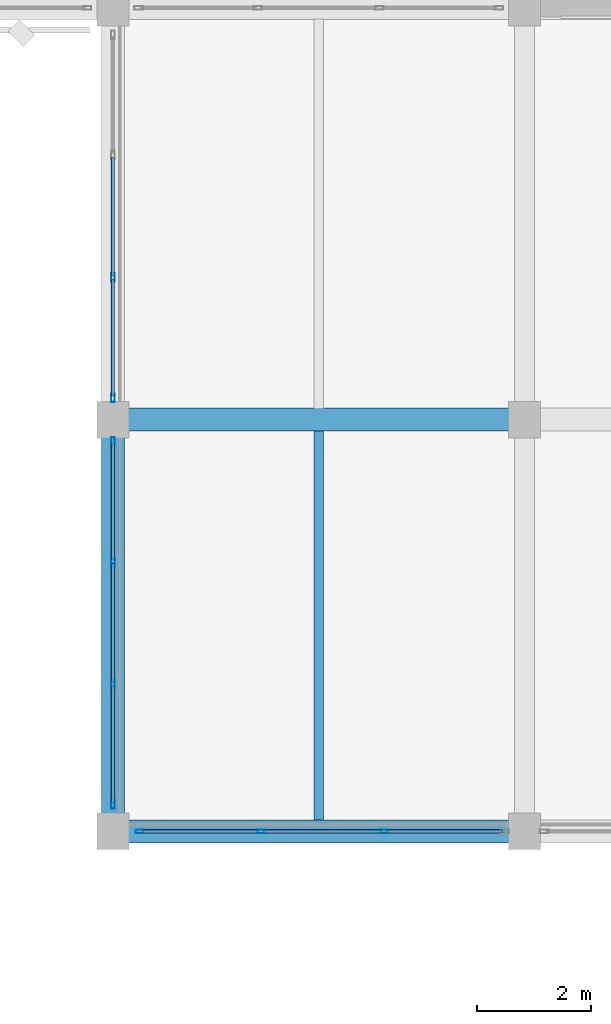
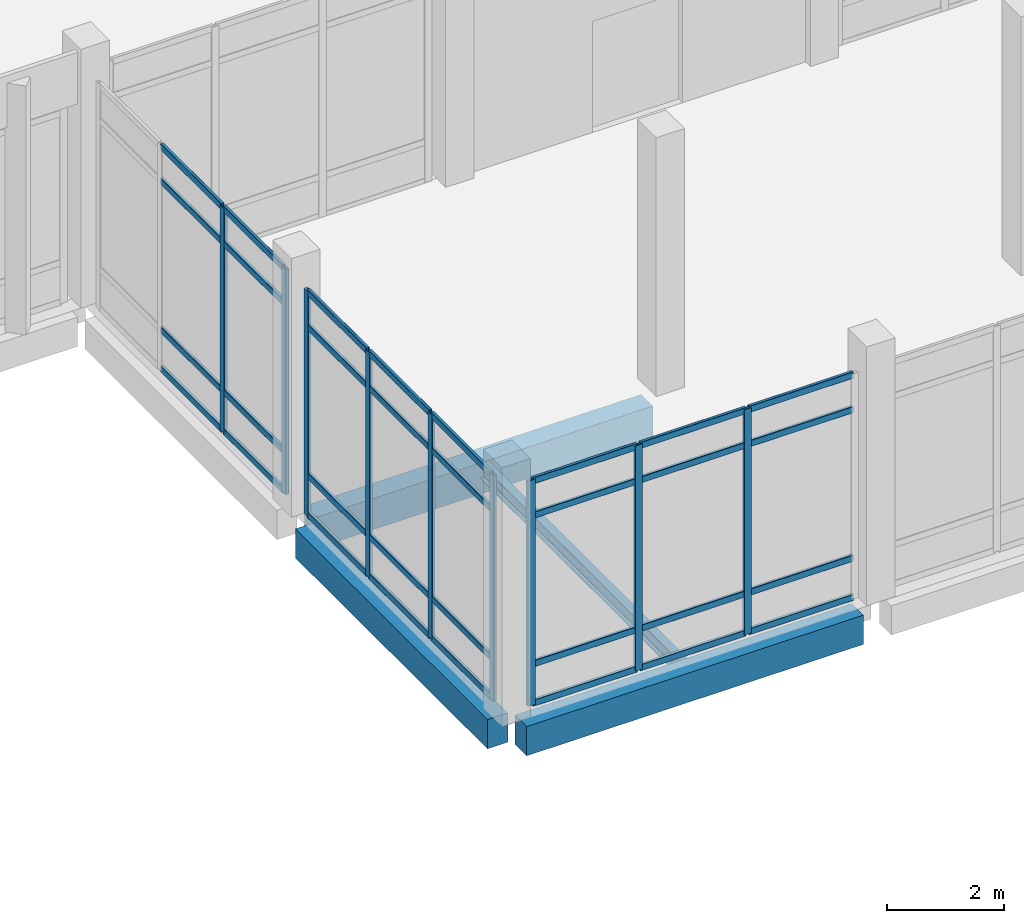
# One storey, part 78 of 180: 41 members, 4 beams, 3 elements without a shape of their own.
"""IFC4 building model written with IfcOpenShell, lengths in metres."""

from ifc_helpers import new_model, si_unit, direction, frame, origin, origin_2d, place, context, subcontext, project, spatial, rectangle, hollow_rectangle, i_section, extrude, material, material_profile, profile_set, type_object, element, aggregate, save


model = new_model("IFC4")

# Units and contexts
model_context = context("Model", 3, precision=1e-05, world=origin(), true_north=direction((0.0, 1.0)))
body_context = subcontext(model_context, "Body", "Model", "MODEL_VIEW")
ifc_project = project(units=[si_unit("LENGTHUNIT", "METRE"), si_unit("AREAUNIT", "SQUARE_METRE"), si_unit("VOLUMEUNIT", "CUBIC_METRE"), si_unit("PLANEANGLEUNIT", "RADIAN"), si_unit("MASSUNIT", "GRAM", prefix="KILO")], contexts=[model_context])

# Site, building, storey
site_placement = place(None, origin())
site = spatial("IfcSite", under=ifc_project, at=site_placement, CompositionType="ELEMENT")
building_placement = place(site_placement, origin())
building = spatial("IfcBuilding", under=site, at=building_placement, Name="Lusvemor Sports Hall", CompositionType="ELEMENT")
storey_placement = place(building_placement, frame((0.0, 0.0, 5.39990234375)))
storey = spatial("IfcBuildingStorey", under=building, at=storey_placement, Name="L01", CompositionType="ELEMENT", Elevation=5.39990234375)

# Beam
ifc_material_1 = material(Name="Concrete C40/50", Category="concrete")
ifc_material_profile_1 = material_profile(ifc_material_1, rectangle(XDim=0.39990234375, YDim=0.64990234375, at=origin_2d()), Name="RC400x650")
ifc_profile_set_1 = profile_set([ifc_material_profile_1], Name="Concrete C40/50")
beam_type_1 = type_object("IfcBeamType", Name="BEAM_RC_650", PredefinedType="BEAM", material=ifc_profile_set_1)
beam_1_placement = place(storey_placement, frame((119.075927734375, 90.0, -0.594970703125), z_axis=(1.0, 0.0, 0.0), x_axis=(0.0, 1.0, 0.0)))
element("IfcBeam", 1, at=beam_1_placement, inside=storey, type_object=beam_type_1, Name="Beam L01 M:13-14", PredefinedType="BEAM", context=body_context, shape_type="SweptSolid", body=[
    extrude(rectangle(XDim=0.39990234375, YDim=0.64990234375, at=origin_2d()), origin(), (0.0, 0.0, 1.0), 6.648193359375),
])

# Curtain wall, members
ifc_material_2 = material(Name="Thermally broken bronze-anodized aluminium", Category="aluminium")
curtain_wall_type = type_object("IfcCurtainWallType", Name="CW_WING_B", PredefinedType="NOTDEFINED", material=ifc_material_2)
curtain_wall_1_placement = place(storey_placement, origin())
curtain_wall_1 = element("IfcCurtainWall", 2, at=curtain_wall_1_placement, inside=storey, type_object=curtain_wall_type, Name="Curtain Wall CW-V5NE-W-L01-A", PredefinedType="NOTDEFINED")
ifc_material_3 = material(Name="Thermally broken bronze-anodized aluminium", Category="aluminium")
ifc_material_profile_2 = material_profile(ifc_material_3, hollow_rectangle(XDim=0.06494140625, YDim=0.14990234375, WallThickness=0.00390625, InnerFilletRadius=0.00390625, OuterFilletRadius=0.008056640625, at=origin_2d()), Name="CWMUL150x65x4")
ifc_profile_set_2 = profile_set([ifc_material_profile_2], Name="Thermally broken bronze-anodized aluminium")
member_type_1 = type_object("IfcMemberType", Name="CW_MUL_B", PredefinedType="MULLION", material=ifc_profile_set_2)
member_1_placement = place(storey_placement, frame((118.800048828125, 83.2724609375, 0.0), z_axis=(0.0, 0.0, 1.0), x_axis=(-1.0, 0.0, 0.0)))
member_1 = element("IfcMember", 3, at=member_1_placement, type_object=member_type_1, Name="CW02 mullion 1", PredefinedType="MULLION", context=body_context, shape_type="SweptSolid", body=[
    extrude(hollow_rectangle(XDim=0.06494140625, YDim=0.14990234375, WallThickness=0.00390625, InnerFilletRadius=0.00390625, OuterFilletRadius=0.008056640625, at=origin_2d()), origin(), (0.0, 0.0, 1.0), 4.7001953125),
])
member_2_placement = place(storey_placement, frame((118.800048828125, 85.376708984375, 0.0), z_axis=(0.0, 0.0, 1.0), x_axis=(-1.0, 0.0, 0.0)))
member_2 = element("IfcMember", 4, at=member_2_placement, type_object=member_type_1, Name="CW02 mullion 2", PredefinedType="MULLION", context=body_context, shape_type="SweptSolid", body=[
    extrude(hollow_rectangle(XDim=0.06494140625, YDim=0.14990234375, WallThickness=0.00390625, InnerFilletRadius=0.00390625, OuterFilletRadius=0.008056640625, at=origin_2d()), origin(), (0.0, 0.0, 1.0), 4.7001953125),
])
member_3_placement = place(storey_placement, frame((118.800048828125, 87.513427734375, 0.0), z_axis=(0.0, 0.0, 1.0), x_axis=(-1.0, 0.0, 0.0)))
member_3 = element("IfcMember", 5, at=member_3_placement, type_object=member_type_1, Name="CW02 mullion 3", PredefinedType="MULLION", context=body_context, shape_type="SweptSolid", body=[
    extrude(hollow_rectangle(XDim=0.06494140625, YDim=0.14990234375, WallThickness=0.00390625, InnerFilletRadius=0.00390625, OuterFilletRadius=0.008056640625, at=origin_2d()), origin(), (0.0, 0.0, 1.0), 4.7001953125),
])
member_4_placement = place(storey_placement, frame((118.800048828125, 89.617431640625, 0.0), z_axis=(0.0, 0.0, 1.0), x_axis=(-1.0, 0.0, 0.0)))
member_4 = element("IfcMember", 6, at=member_4_placement, type_object=member_type_1, Name="CW02 mullion 4", PredefinedType="MULLION", context=body_context, shape_type="SweptSolid", body=[
    extrude(hollow_rectangle(XDim=0.06494140625, YDim=0.14990234375, WallThickness=0.00390625, InnerFilletRadius=0.00390625, OuterFilletRadius=0.008056640625, at=origin_2d()), origin(), (0.0, 0.0, 1.0), 4.7001953125),
])

curtain_wall_2_placement = place(storey_placement, origin())
curtain_wall_2 = element("IfcCurtainWall", 7, at=curtain_wall_2_placement, inside=storey, type_object=curtain_wall_type, Name="Curtain Wall CW-V5NE-W-L01-B", PredefinedType="NOTDEFINED")
member_5_placement = place(storey_placement, frame((118.800048828125, 90.382568359375, 0.0), z_axis=(0.0, 0.0, 1.0), x_axis=(-1.0, 0.0, 0.0)))
member_5 = element("IfcMember", 8, at=member_5_placement, type_object=member_type_1, Name="CW02 mullion 1", PredefinedType="MULLION", context=body_context, shape_type="SweptSolid", body=[
    extrude(hollow_rectangle(XDim=0.06494140625, YDim=0.14990234375, WallThickness=0.00390625, InnerFilletRadius=0.00390625, OuterFilletRadius=0.008056640625, at=origin_2d()), origin(), (0.0, 0.0, 1.0), 4.7001953125),
])
member_6_placement = place(storey_placement, frame((118.800048828125, 92.486572265625, 0.0), z_axis=(0.0, 0.0, 1.0), x_axis=(-1.0, 0.0, 0.0)))
member_6 = element("IfcMember", 9, at=member_6_placement, type_object=member_type_1, Name="CW02 mullion 2", PredefinedType="MULLION", context=body_context, shape_type="SweptSolid", body=[
    extrude(hollow_rectangle(XDim=0.06494140625, YDim=0.14990234375, WallThickness=0.00390625, InnerFilletRadius=0.00390625, OuterFilletRadius=0.008056640625, at=origin_2d()), origin(), (0.0, 0.0, 1.0), 4.7001953125),
])

curtain_wall_3_placement = place(storey_placement, origin())
curtain_wall_3 = element("IfcCurtainWall", 10, at=curtain_wall_3_placement, inside=storey, type_object=curtain_wall_type, Name="Curtain Wall CW-V5NE-S-L01-B", PredefinedType="NOTDEFINED")
member_7_placement = place(storey_placement, frame((123.5400390625, 82.800048828125, 0.0), z_axis=(0.0, 0.0, 1.0), x_axis=(0.0, -1.0, 0.0)))
member_7 = element("IfcMember", 11, at=member_7_placement, type_object=member_type_1, Name="CW02 mullion 2", PredefinedType="MULLION", context=body_context, shape_type="SweptSolid", body=[
    extrude(hollow_rectangle(XDim=0.06494140625, YDim=0.14990234375, WallThickness=0.00390625, InnerFilletRadius=0.00390625, OuterFilletRadius=0.008056640625, at=origin_2d()), origin(), (0.0, 0.0, 1.0), 4.7001953125),
])
member_8_placement = place(storey_placement, frame((121.389892578125, 82.800048828125, 0.0), z_axis=(0.0, 0.0, 1.0), x_axis=(0.0, -1.0, 0.0)))
member_8 = element("IfcMember", 12, at=member_8_placement, type_object=member_type_1, Name="CW02 mullion 3", PredefinedType="MULLION", context=body_context, shape_type="SweptSolid", body=[
    extrude(hollow_rectangle(XDim=0.06494140625, YDim=0.14990234375, WallThickness=0.00390625, InnerFilletRadius=0.00390625, OuterFilletRadius=0.008056640625, at=origin_2d()), origin(), (0.0, 0.0, 1.0), 4.7001953125),
])
member_9_placement = place(storey_placement, frame((119.2724609375, 82.800048828125, 0.0), z_axis=(0.0, 0.0, 1.0), x_axis=(0.0, -1.0, 0.0)))
member_9 = element("IfcMember", 13, at=member_9_placement, type_object=member_type_1, Name="CW02 mullion 4", PredefinedType="MULLION", context=body_context, shape_type="SweptSolid", body=[
    extrude(hollow_rectangle(XDim=0.06494140625, YDim=0.14990234375, WallThickness=0.00390625, InnerFilletRadius=0.00390625, OuterFilletRadius=0.008056640625, at=origin_2d()), origin(), (0.0, 0.0, 1.0), 4.7001953125),
])

# Member
ifc_material_4 = material(Name="Thermally broken bronze-anodized aluminium", Category="aluminium")
ifc_material_profile_3 = material_profile(ifc_material_4, hollow_rectangle(XDim=0.06005859375, YDim=0.135009765625, WallThickness=0.00390625, InnerFilletRadius=0.00390625, OuterFilletRadius=0.008056640625, at=origin_2d()), Name="CWTRN135x60x4")
ifc_profile_set_3 = profile_set([ifc_material_profile_3], Name="Thermally broken bronze-anodized aluminium")
member_type_2 = type_object("IfcMemberType", Name="CW_TRN_B", PredefinedType="USERDEFINED", material=ifc_profile_set_3)
member_10_placement = place(storey_placement, frame((118.800048828125, 83.304931640625, 0.030029296875), z_axis=(0.0, 1.0, 0.0), x_axis=(-1.0, 0.0, 0.0)))
member_10 = element("IfcMember", 14, at=member_10_placement, type_object=member_type_2, Name="CW02 transom 1.1", ObjectType="TRANSOM", PredefinedType="USERDEFINED", context=body_context, shape_type="SweptSolid", body=[
    extrude(hollow_rectangle(XDim=0.06005859375, YDim=0.135009765625, WallThickness=0.00390625, InnerFilletRadius=0.00390625, OuterFilletRadius=0.008056640625, at=origin_2d()), origin(), (0.0, 0.0, 1.0), 2.039306640625),
])

member_11_placement = place(storey_placement, frame((118.800048828125, 83.304931640625, 0.85009765625), z_axis=(0.0, 1.0, 0.0), x_axis=(-1.0, 0.0, 0.0)))
member_11 = element("IfcMember", 15, at=member_11_placement, type_object=member_type_2, Name="CW02 transom 1.2", ObjectType="TRANSOM", PredefinedType="USERDEFINED", context=body_context, shape_type="SweptSolid", body=[
    extrude(hollow_rectangle(XDim=0.06005859375, YDim=0.135009765625, WallThickness=0.00390625, InnerFilletRadius=0.00390625, OuterFilletRadius=0.008056640625, at=origin_2d()), origin(), (0.0, 0.0, 1.0), 2.039306640625),
])

member_12_placement = place(storey_placement, frame((118.800048828125, 83.304931640625, 3.9501953125), z_axis=(0.0, 1.0, 0.0), x_axis=(-1.0, 0.0, 0.0)))
member_12 = element("IfcMember", 16, at=member_12_placement, type_object=member_type_2, Name="CW02 transom 1.3", ObjectType="TRANSOM", PredefinedType="USERDEFINED", context=body_context, shape_type="SweptSolid", body=[
    extrude(hollow_rectangle(XDim=0.06005859375, YDim=0.135009765625, WallThickness=0.00390625, InnerFilletRadius=0.00390625, OuterFilletRadius=0.008056640625, at=origin_2d()), origin(), (0.0, 0.0, 1.0), 2.039306640625),
])

member_13_placement = place(storey_placement, frame((118.800048828125, 83.304931640625, 4.670166015625), z_axis=(0.0, 1.0, 0.0), x_axis=(-1.0, 0.0, 0.0)))
member_13 = element("IfcMember", 17, at=member_13_placement, type_object=member_type_2, Name="CW02 transom 1.4", ObjectType="TRANSOM", PredefinedType="USERDEFINED", context=body_context, shape_type="SweptSolid", body=[
    extrude(hollow_rectangle(XDim=0.06005859375, YDim=0.135009765625, WallThickness=0.00390625, InnerFilletRadius=0.00390625, OuterFilletRadius=0.008056640625, at=origin_2d()), origin(), (0.0, 0.0, 1.0), 2.039306640625),
])

member_14_placement = place(storey_placement, frame((118.800048828125, 85.4091796875, 0.030029296875), z_axis=(0.0, 1.0, 0.0), x_axis=(-1.0, 0.0, 0.0)))
member_14 = element("IfcMember", 18, at=member_14_placement, type_object=member_type_2, Name="CW02 transom 2.1", ObjectType="TRANSOM", PredefinedType="USERDEFINED", context=body_context, shape_type="SweptSolid", body=[
    extrude(hollow_rectangle(XDim=0.06005859375, YDim=0.135009765625, WallThickness=0.00390625, InnerFilletRadius=0.00390625, OuterFilletRadius=0.008056640625, at=origin_2d()), origin(), (0.0, 0.0, 1.0), 2.071533203125),
])

member_15_placement = place(storey_placement, frame((118.800048828125, 85.4091796875, 0.85009765625), z_axis=(0.0, 1.0, 0.0), x_axis=(-1.0, 0.0, 0.0)))
member_15 = element("IfcMember", 19, at=member_15_placement, type_object=member_type_2, Name="CW02 transom 2.2", ObjectType="TRANSOM", PredefinedType="USERDEFINED", context=body_context, shape_type="SweptSolid", body=[
    extrude(hollow_rectangle(XDim=0.06005859375, YDim=0.135009765625, WallThickness=0.00390625, InnerFilletRadius=0.00390625, OuterFilletRadius=0.008056640625, at=origin_2d()), origin(), (0.0, 0.0, 1.0), 2.071533203125),
])

member_16_placement = place(storey_placement, frame((118.800048828125, 85.4091796875, 3.9501953125), z_axis=(0.0, 1.0, 0.0), x_axis=(-1.0, 0.0, 0.0)))
member_16 = element("IfcMember", 20, at=member_16_placement, type_object=member_type_2, Name="CW02 transom 2.3", ObjectType="TRANSOM", PredefinedType="USERDEFINED", context=body_context, shape_type="SweptSolid", body=[
    extrude(hollow_rectangle(XDim=0.06005859375, YDim=0.135009765625, WallThickness=0.00390625, InnerFilletRadius=0.00390625, OuterFilletRadius=0.008056640625, at=origin_2d()), origin(), (0.0, 0.0, 1.0), 2.071533203125),
])

member_17_placement = place(storey_placement, frame((118.800048828125, 85.4091796875, 4.670166015625), z_axis=(0.0, 1.0, 0.0), x_axis=(-1.0, 0.0, 0.0)))
member_17 = element("IfcMember", 21, at=member_17_placement, type_object=member_type_2, Name="CW02 transom 2.4", ObjectType="TRANSOM", PredefinedType="USERDEFINED", context=body_context, shape_type="SweptSolid", body=[
    extrude(hollow_rectangle(XDim=0.06005859375, YDim=0.135009765625, WallThickness=0.00390625, InnerFilletRadius=0.00390625, OuterFilletRadius=0.008056640625, at=origin_2d()), origin(), (0.0, 0.0, 1.0), 2.071533203125),
])

member_18_placement = place(storey_placement, frame((118.800048828125, 87.5458984375, 0.030029296875), z_axis=(0.0, 1.0, 0.0), x_axis=(-1.0, 0.0, 0.0)))
member_18 = element("IfcMember", 22, at=member_18_placement, type_object=member_type_2, Name="CW02 transom 3.1", ObjectType="TRANSOM", PredefinedType="USERDEFINED", context=body_context, shape_type="SweptSolid", body=[
    extrude(hollow_rectangle(XDim=0.06005859375, YDim=0.135009765625, WallThickness=0.00390625, InnerFilletRadius=0.00390625, OuterFilletRadius=0.008056640625, at=origin_2d()), origin(), (0.0, 0.0, 1.0), 2.0390625),
])

member_19_placement = place(storey_placement, frame((118.800048828125, 87.5458984375, 0.85009765625), z_axis=(0.0, 1.0, 0.0), x_axis=(-1.0, 0.0, 0.0)))
member_19 = element("IfcMember", 23, at=member_19_placement, type_object=member_type_2, Name="CW02 transom 3.2", ObjectType="TRANSOM", PredefinedType="USERDEFINED", context=body_context, shape_type="SweptSolid", body=[
    extrude(hollow_rectangle(XDim=0.06005859375, YDim=0.135009765625, WallThickness=0.00390625, InnerFilletRadius=0.00390625, OuterFilletRadius=0.008056640625, at=origin_2d()), origin(), (0.0, 0.0, 1.0), 2.0390625),
])

member_20_placement = place(storey_placement, frame((118.800048828125, 87.5458984375, 3.9501953125), z_axis=(0.0, 1.0, 0.0), x_axis=(-1.0, 0.0, 0.0)))
member_20 = element("IfcMember", 24, at=member_20_placement, type_object=member_type_2, Name="CW02 transom 3.3", ObjectType="TRANSOM", PredefinedType="USERDEFINED", context=body_context, shape_type="SweptSolid", body=[
    extrude(hollow_rectangle(XDim=0.06005859375, YDim=0.135009765625, WallThickness=0.00390625, InnerFilletRadius=0.00390625, OuterFilletRadius=0.008056640625, at=origin_2d()), origin(), (0.0, 0.0, 1.0), 2.0390625),
])

member_21_placement = place(storey_placement, frame((118.800048828125, 87.5458984375, 4.670166015625), z_axis=(0.0, 1.0, 0.0), x_axis=(-1.0, 0.0, 0.0)))
member_21 = element("IfcMember", 25, at=member_21_placement, type_object=member_type_2, Name="CW02 transom 3.4", ObjectType="TRANSOM", PredefinedType="USERDEFINED", context=body_context, shape_type="SweptSolid", body=[
    extrude(hollow_rectangle(XDim=0.06005859375, YDim=0.135009765625, WallThickness=0.00390625, InnerFilletRadius=0.00390625, OuterFilletRadius=0.008056640625, at=origin_2d()), origin(), (0.0, 0.0, 1.0), 2.0390625),
])

aggregate(curtain_wall_1, [member_1, member_2, member_3, member_4, member_10, member_11, member_12, member_13, member_14, member_15, member_16, member_17, member_18, member_19, member_20, member_21])

member_22_placement = place(storey_placement, frame((118.800048828125, 90.4150390625, 0.030029296875), z_axis=(0.0, 1.0, 0.0), x_axis=(-1.0, 0.0, 0.0)))
member_22 = element("IfcMember", 26, at=member_22_placement, type_object=member_type_2, Name="CW02 transom 1.1", ObjectType="TRANSOM", PredefinedType="USERDEFINED", context=body_context, shape_type="SweptSolid", body=[
    extrude(hollow_rectangle(XDim=0.06005859375, YDim=0.135009765625, WallThickness=0.00390625, InnerFilletRadius=0.00390625, OuterFilletRadius=0.008056640625, at=origin_2d()), origin(), (0.0, 0.0, 1.0), 2.0390625),
])

member_23_placement = place(storey_placement, frame((118.800048828125, 90.4150390625, 0.85009765625), z_axis=(0.0, 1.0, 0.0), x_axis=(-1.0, 0.0, 0.0)))
member_23 = element("IfcMember", 27, at=member_23_placement, type_object=member_type_2, Name="CW02 transom 1.2", ObjectType="TRANSOM", PredefinedType="USERDEFINED", context=body_context, shape_type="SweptSolid", body=[
    extrude(hollow_rectangle(XDim=0.06005859375, YDim=0.135009765625, WallThickness=0.00390625, InnerFilletRadius=0.00390625, OuterFilletRadius=0.008056640625, at=origin_2d()), origin(), (0.0, 0.0, 1.0), 2.0390625),
])

member_24_placement = place(storey_placement, frame((118.800048828125, 90.4150390625, 3.9501953125), z_axis=(0.0, 1.0, 0.0), x_axis=(-1.0, 0.0, 0.0)))
member_24 = element("IfcMember", 28, at=member_24_placement, type_object=member_type_2, Name="CW02 transom 1.3", ObjectType="TRANSOM", PredefinedType="USERDEFINED", context=body_context, shape_type="SweptSolid", body=[
    extrude(hollow_rectangle(XDim=0.06005859375, YDim=0.135009765625, WallThickness=0.00390625, InnerFilletRadius=0.00390625, OuterFilletRadius=0.008056640625, at=origin_2d()), origin(), (0.0, 0.0, 1.0), 2.0390625),
])

member_25_placement = place(storey_placement, frame((118.800048828125, 90.4150390625, 4.670166015625), z_axis=(0.0, 1.0, 0.0), x_axis=(-1.0, 0.0, 0.0)))
member_25 = element("IfcMember", 29, at=member_25_placement, type_object=member_type_2, Name="CW02 transom 1.4", ObjectType="TRANSOM", PredefinedType="USERDEFINED", context=body_context, shape_type="SweptSolid", body=[
    extrude(hollow_rectangle(XDim=0.06005859375, YDim=0.135009765625, WallThickness=0.00390625, InnerFilletRadius=0.00390625, OuterFilletRadius=0.008056640625, at=origin_2d()), origin(), (0.0, 0.0, 1.0), 2.0390625),
])

member_26_placement = place(storey_placement, frame((118.800048828125, 92.519287109375, 0.030029296875), z_axis=(0.0, 1.0, 0.0), x_axis=(-1.0, 0.0, 0.0)))
member_26 = element("IfcMember", 30, at=member_26_placement, type_object=member_type_2, Name="CW02 transom 2.1", ObjectType="TRANSOM", PredefinedType="USERDEFINED", context=body_context, shape_type="SweptSolid", body=[
    extrude(hollow_rectangle(XDim=0.06005859375, YDim=0.135009765625, WallThickness=0.00390625, InnerFilletRadius=0.00390625, OuterFilletRadius=0.008056640625, at=origin_2d()), origin(), (0.0, 0.0, 1.0), 2.071533203125),
])

member_27_placement = place(storey_placement, frame((118.800048828125, 92.519287109375, 0.85009765625), z_axis=(0.0, 1.0, 0.0), x_axis=(-1.0, 0.0, 0.0)))
member_27 = element("IfcMember", 31, at=member_27_placement, type_object=member_type_2, Name="CW02 transom 2.2", ObjectType="TRANSOM", PredefinedType="USERDEFINED", context=body_context, shape_type="SweptSolid", body=[
    extrude(hollow_rectangle(XDim=0.06005859375, YDim=0.135009765625, WallThickness=0.00390625, InnerFilletRadius=0.00390625, OuterFilletRadius=0.008056640625, at=origin_2d()), origin(), (0.0, 0.0, 1.0), 2.071533203125),
])

member_28_placement = place(storey_placement, frame((118.800048828125, 92.519287109375, 3.9501953125), z_axis=(0.0, 1.0, 0.0), x_axis=(-1.0, 0.0, 0.0)))
member_28 = element("IfcMember", 32, at=member_28_placement, type_object=member_type_2, Name="CW02 transom 2.3", ObjectType="TRANSOM", PredefinedType="USERDEFINED", context=body_context, shape_type="SweptSolid", body=[
    extrude(hollow_rectangle(XDim=0.06005859375, YDim=0.135009765625, WallThickness=0.00390625, InnerFilletRadius=0.00390625, OuterFilletRadius=0.008056640625, at=origin_2d()), origin(), (0.0, 0.0, 1.0), 2.071533203125),
])

member_29_placement = place(storey_placement, frame((118.800048828125, 92.519287109375, 4.670166015625), z_axis=(0.0, 1.0, 0.0), x_axis=(-1.0, 0.0, 0.0)))
member_29 = element("IfcMember", 33, at=member_29_placement, type_object=member_type_2, Name="CW02 transom 2.4", ObjectType="TRANSOM", PredefinedType="USERDEFINED", context=body_context, shape_type="SweptSolid", body=[
    extrude(hollow_rectangle(XDim=0.06005859375, YDim=0.135009765625, WallThickness=0.00390625, InnerFilletRadius=0.00390625, OuterFilletRadius=0.008056640625, at=origin_2d()), origin(), (0.0, 0.0, 1.0), 2.071533203125),
])

aggregate(curtain_wall_2, [member_5, member_6, member_22, member_23, member_24, member_25, member_26, member_27, member_28, member_29])

member_30_placement = place(storey_placement, frame((125.625, 82.800048828125, 0.030029296875), z_axis=(-1.0, 0.0, 0.0), x_axis=(0.0, -1.0, 0.0)))
member_30 = element("IfcMember", 34, at=member_30_placement, type_object=member_type_2, Name="CW02 transom 1.1", ObjectType="TRANSOM", PredefinedType="USERDEFINED", context=body_context, shape_type="SweptSolid", body=[
    extrude(hollow_rectangle(XDim=0.06005859375, YDim=0.135009765625, WallThickness=0.00390625, InnerFilletRadius=0.00390625, OuterFilletRadius=0.008056640625, at=origin_2d()), origin(), (0.0, 0.0, 1.0), 2.052490234375),
])

member_31_placement = place(storey_placement, frame((125.625, 82.800048828125, 0.85009765625), z_axis=(-1.0, 0.0, 0.0), x_axis=(0.0, -1.0, 0.0)))
member_31 = element("IfcMember", 35, at=member_31_placement, type_object=member_type_2, Name="CW02 transom 1.2", ObjectType="TRANSOM", PredefinedType="USERDEFINED", context=body_context, shape_type="SweptSolid", body=[
    extrude(hollow_rectangle(XDim=0.06005859375, YDim=0.135009765625, WallThickness=0.00390625, InnerFilletRadius=0.00390625, OuterFilletRadius=0.008056640625, at=origin_2d()), origin(), (0.0, 0.0, 1.0), 2.052490234375),
])

member_32_placement = place(storey_placement, frame((125.625, 82.800048828125, 3.9501953125), z_axis=(-1.0, 0.0, 0.0), x_axis=(0.0, -1.0, 0.0)))
member_32 = element("IfcMember", 36, at=member_32_placement, type_object=member_type_2, Name="CW02 transom 1.3", ObjectType="TRANSOM", PredefinedType="USERDEFINED", context=body_context, shape_type="SweptSolid", body=[
    extrude(hollow_rectangle(XDim=0.06005859375, YDim=0.135009765625, WallThickness=0.00390625, InnerFilletRadius=0.00390625, OuterFilletRadius=0.008056640625, at=origin_2d()), origin(), (0.0, 0.0, 1.0), 2.052490234375),
])

member_33_placement = place(storey_placement, frame((125.625, 82.800048828125, 4.670166015625), z_axis=(-1.0, 0.0, 0.0), x_axis=(0.0, -1.0, 0.0)))
member_33 = element("IfcMember", 37, at=member_33_placement, type_object=member_type_2, Name="CW02 transom 1.4", ObjectType="TRANSOM", PredefinedType="USERDEFINED", context=body_context, shape_type="SweptSolid", body=[
    extrude(hollow_rectangle(XDim=0.06005859375, YDim=0.135009765625, WallThickness=0.00390625, InnerFilletRadius=0.00390625, OuterFilletRadius=0.008056640625, at=origin_2d()), origin(), (0.0, 0.0, 1.0), 2.052490234375),
])

member_34_placement = place(storey_placement, frame((123.507568359375, 82.800048828125, 0.030029296875), z_axis=(-1.0, 0.0, 0.0), x_axis=(0.0, -1.0, 0.0)))
member_34 = element("IfcMember", 38, at=member_34_placement, type_object=member_type_2, Name="CW02 transom 2.1", ObjectType="TRANSOM", PredefinedType="USERDEFINED", context=body_context, shape_type="SweptSolid", body=[
    extrude(hollow_rectangle(XDim=0.06005859375, YDim=0.135009765625, WallThickness=0.00390625, InnerFilletRadius=0.00390625, OuterFilletRadius=0.008056640625, at=origin_2d()), origin(), (0.0, 0.0, 1.0), 2.0849609375),
])

member_35_placement = place(storey_placement, frame((123.507568359375, 82.800048828125, 0.85009765625), z_axis=(-1.0, 0.0, 0.0), x_axis=(0.0, -1.0, 0.0)))
member_35 = element("IfcMember", 39, at=member_35_placement, type_object=member_type_2, Name="CW02 transom 2.2", ObjectType="TRANSOM", PredefinedType="USERDEFINED", context=body_context, shape_type="SweptSolid", body=[
    extrude(hollow_rectangle(XDim=0.06005859375, YDim=0.135009765625, WallThickness=0.00390625, InnerFilletRadius=0.00390625, OuterFilletRadius=0.008056640625, at=origin_2d()), origin(), (0.0, 0.0, 1.0), 2.0849609375),
])

member_36_placement = place(storey_placement, frame((123.507568359375, 82.800048828125, 3.9501953125), z_axis=(-1.0, 0.0, 0.0), x_axis=(0.0, -1.0, 0.0)))
member_36 = element("IfcMember", 40, at=member_36_placement, type_object=member_type_2, Name="CW02 transom 2.3", ObjectType="TRANSOM", PredefinedType="USERDEFINED", context=body_context, shape_type="SweptSolid", body=[
    extrude(hollow_rectangle(XDim=0.06005859375, YDim=0.135009765625, WallThickness=0.00390625, InnerFilletRadius=0.00390625, OuterFilletRadius=0.008056640625, at=origin_2d()), origin(), (0.0, 0.0, 1.0), 2.0849609375),
])

member_37_placement = place(storey_placement, frame((123.507568359375, 82.800048828125, 4.670166015625), z_axis=(-1.0, 0.0, 0.0), x_axis=(0.0, -1.0, 0.0)))
member_37 = element("IfcMember", 41, at=member_37_placement, type_object=member_type_2, Name="CW02 transom 2.4", ObjectType="TRANSOM", PredefinedType="USERDEFINED", context=body_context, shape_type="SweptSolid", body=[
    extrude(hollow_rectangle(XDim=0.06005859375, YDim=0.135009765625, WallThickness=0.00390625, InnerFilletRadius=0.00390625, OuterFilletRadius=0.008056640625, at=origin_2d()), origin(), (0.0, 0.0, 1.0), 2.0849609375),
])

member_38_placement = place(storey_placement, frame((121.357421875, 82.800048828125, 0.030029296875), z_axis=(-1.0, 0.0, 0.0), x_axis=(0.0, -1.0, 0.0)))
member_38 = element("IfcMember", 42, at=member_38_placement, type_object=member_type_2, Name="CW02 transom 3.1", ObjectType="TRANSOM", PredefinedType="USERDEFINED", context=body_context, shape_type="SweptSolid", body=[
    extrude(hollow_rectangle(XDim=0.06005859375, YDim=0.135009765625, WallThickness=0.00390625, InnerFilletRadius=0.00390625, OuterFilletRadius=0.008056640625, at=origin_2d()), origin(), (0.0, 0.0, 1.0), 2.052490234375),
])

member_39_placement = place(storey_placement, frame((121.357421875, 82.800048828125, 0.85009765625), z_axis=(-1.0, 0.0, 0.0), x_axis=(0.0, -1.0, 0.0)))
member_39 = element("IfcMember", 43, at=member_39_placement, type_object=member_type_2, Name="CW02 transom 3.2", ObjectType="TRANSOM", PredefinedType="USERDEFINED", context=body_context, shape_type="SweptSolid", body=[
    extrude(hollow_rectangle(XDim=0.06005859375, YDim=0.135009765625, WallThickness=0.00390625, InnerFilletRadius=0.00390625, OuterFilletRadius=0.008056640625, at=origin_2d()), origin(), (0.0, 0.0, 1.0), 2.052490234375),
])

member_40_placement = place(storey_placement, frame((121.357421875, 82.800048828125, 3.9501953125), z_axis=(-1.0, 0.0, 0.0), x_axis=(0.0, -1.0, 0.0)))
member_40 = element("IfcMember", 44, at=member_40_placement, type_object=member_type_2, Name="CW02 transom 3.3", ObjectType="TRANSOM", PredefinedType="USERDEFINED", context=body_context, shape_type="SweptSolid", body=[
    extrude(hollow_rectangle(XDim=0.06005859375, YDim=0.135009765625, WallThickness=0.00390625, InnerFilletRadius=0.00390625, OuterFilletRadius=0.008056640625, at=origin_2d()), origin(), (0.0, 0.0, 1.0), 2.052490234375),
])

member_41_placement = place(storey_placement, frame((121.357421875, 82.800048828125, 4.670166015625), z_axis=(-1.0, 0.0, 0.0), x_axis=(0.0, -1.0, 0.0)))
member_41 = element("IfcMember", 45, at=member_41_placement, type_object=member_type_2, Name="CW02 transom 3.4", ObjectType="TRANSOM", PredefinedType="USERDEFINED", context=body_context, shape_type="SweptSolid", body=[
    extrude(hollow_rectangle(XDim=0.06005859375, YDim=0.135009765625, WallThickness=0.00390625, InnerFilletRadius=0.00390625, OuterFilletRadius=0.008056640625, at=origin_2d()), origin(), (0.0, 0.0, 1.0), 2.052490234375),
])

aggregate(curtain_wall_3, [member_7, member_8, member_9, member_30, member_31, member_32, member_33, member_34, member_35, member_36, member_37, member_38, member_39, member_40, member_41])

# Beams
ifc_material_5 = material(Name="Steel S355", Category="steel")
ifc_material_profile_4 = material_profile(ifc_material_5, i_section(OverallWidth=0.1669921875, OverallDepth=0.31689453125, WebThickness=0.007568359375, FlangeThickness=0.01318359375, FilletRadius=0.014892578125, at=origin_2d()), Name="W310x52.0")
ifc_profile_set_4 = profile_set([ifc_material_profile_4], Name="Steel S355")
beam_type_2 = type_object("IfcBeamType", Name="JOIST_ST_310M", PredefinedType="JOIST", material=ifc_profile_set_4)
beam_2_placement = place(storey_placement, frame((122.39990234375, 82.99609375, -0.432373046875), z_axis=(0.0, 1.0, 0.0), x_axis=(-1.0, 0.0, 0.0)))
element("IfcBeam", 46, at=beam_2_placement, inside=storey, type_object=beam_type_2, Name="Secondary Joist L01 13-14/L-M #1", PredefinedType="JOIST", context=body_context, shape_type="SweptSolid", body=[
    extrude(i_section(OverallWidth=0.1669921875, OverallDepth=0.31689453125, WebThickness=0.007568359375, FlangeThickness=0.01318359375, FilletRadius=0.014892578125, at=origin_2d()), origin(), (0.0, 0.0, 1.0), 6.807861328125),
])
ifc_material_6 = material(Name="Concrete C40/50", Category="concrete")
ifc_material_profile_5 = material_profile(ifc_material_6, rectangle(XDim=0.39990234375, YDim=0.610107421875, at=origin_2d()), Name="RC400x610")
ifc_profile_set_5 = profile_set([ifc_material_profile_5], Name="Concrete C40/50")
beam_type_3 = type_object("IfcBeamType", Name="SPAND_EXT_650", PredefinedType="SPANDREL", material=ifc_profile_set_5)
beam_3_placement = place(storey_placement, frame((119.075927734375, 82.800048828125, -0.574951171875), z_axis=(1.0, 0.0, 0.0), x_axis=(0.0, 1.0, 0.0)))
element("IfcBeam", 47, at=beam_3_placement, inside=storey, type_object=beam_type_3, Name="Beam L01 L:13-14", PredefinedType="SPANDREL", context=body_context, shape_type="SweptSolid", body=[
    extrude(rectangle(XDim=0.39990234375, YDim=0.610107421875, at=origin_2d()), origin(), (0.0, 0.0, 1.0), 6.648193359375),
])
beam_4_placement = place(storey_placement, frame((118.800048828125, 83.115966796875, -0.574951171875), z_axis=(0.0, 1.0, 0.0), x_axis=(-1.0, 0.0, 0.0)))
element("IfcBeam", 48, at=beam_4_placement, inside=storey, type_object=beam_type_3, Name="Beam L01 13:L-M", PredefinedType="SPANDREL", context=body_context, shape_type="SweptSolid", body=[
    extrude(rectangle(XDim=0.39990234375, YDim=0.610107421875, at=origin_2d()), origin(), (0.0, 0.0, 1.0), 6.568115234375),
])

save(model, "model.ifc")
